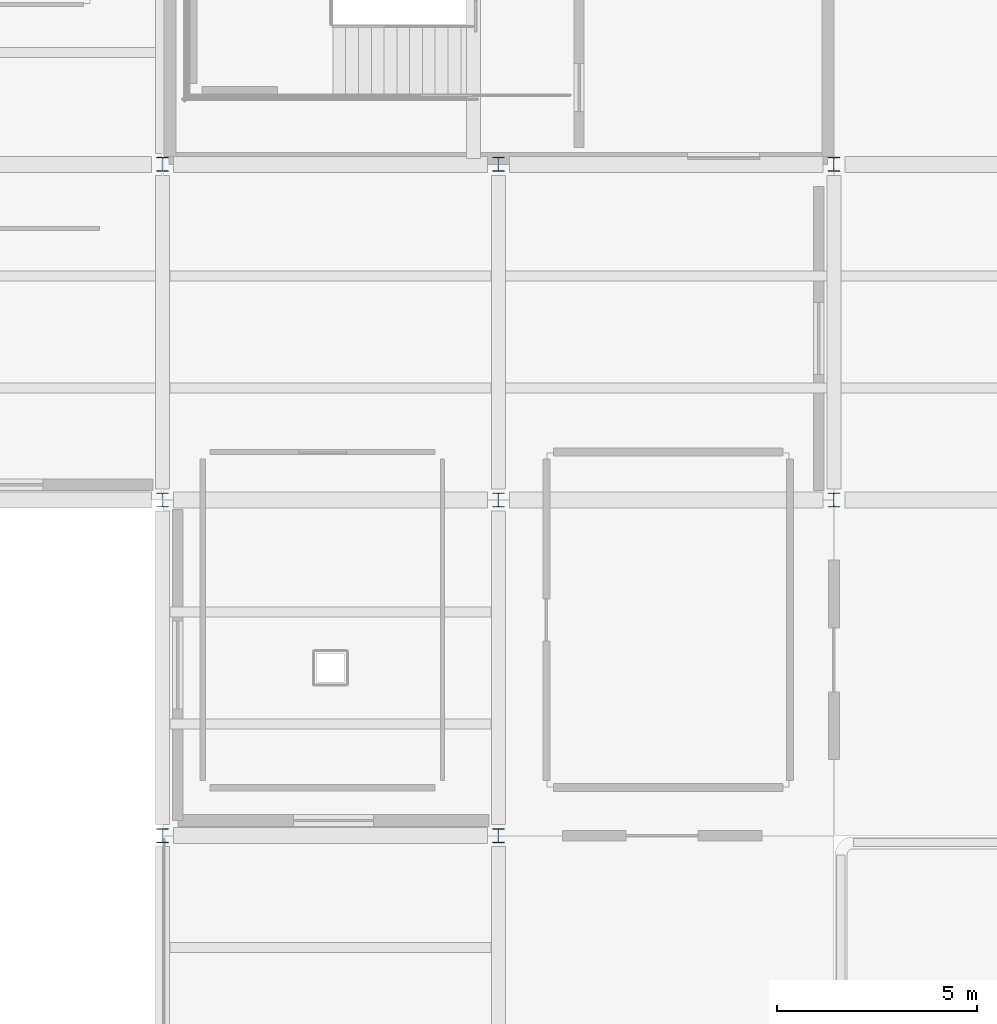
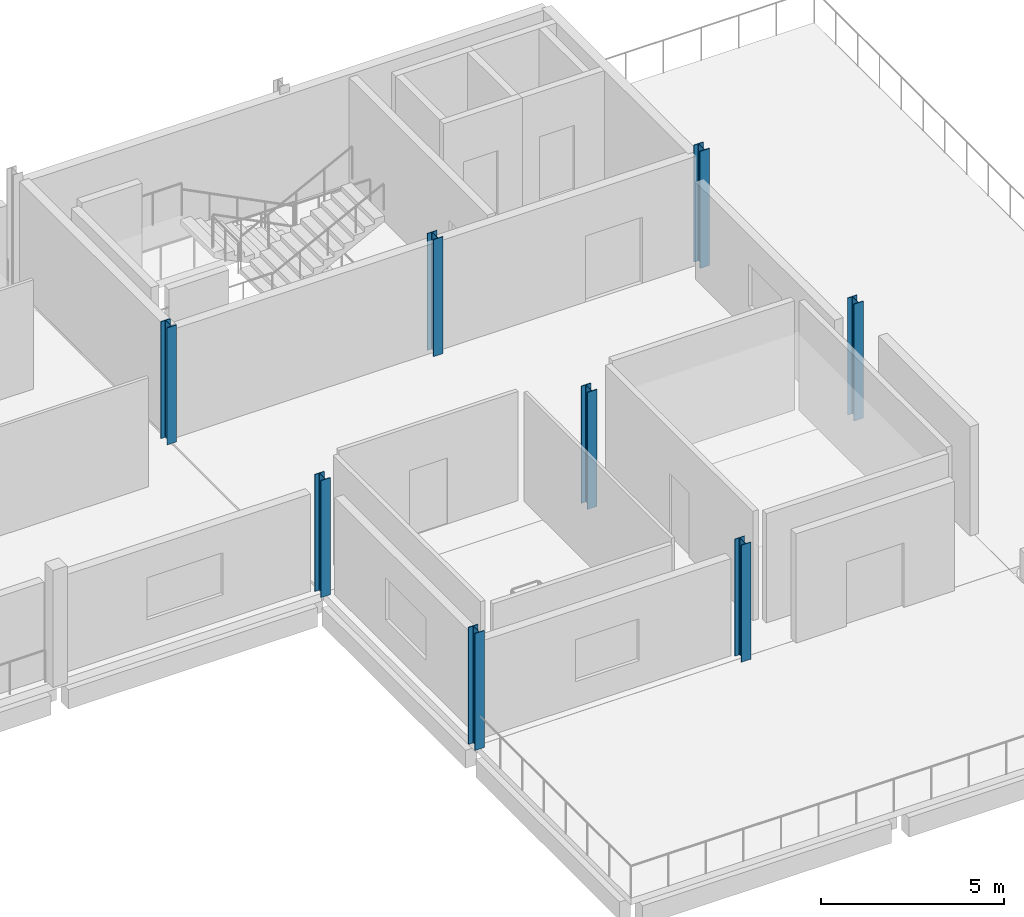
# One storey, part 2 of 16: 8 columns.
"""IFC4 building model written with IfcOpenShell, lengths in metres."""

from ifc_helpers import new_model, si_unit, derived_unit, direction, frame, origin, origin_2d, place, context, subcontext, project, spatial, i_section, extrude, material, material_profile, profile_set, type_object, element, save


model = new_model("IFC4")

# Units and contexts
model_context = context("Model", 3, precision=1e-05, world=origin(), true_north=direction((0.0, 1.0)))
body_context = subcontext(model_context, "Body", "Model", "MODEL_VIEW")
ifc_project = project(units=[si_unit("LENGTHUNIT", "METRE"), si_unit("AREAUNIT", "SQUARE_METRE"), si_unit("VOLUMEUNIT", "CUBIC_METRE"), si_unit("PLANEANGLEUNIT", "RADIAN"), si_unit("MASSUNIT", "GRAM", prefix="KILO"), derived_unit("THERMALTRANSMITTANCEUNIT", [(si_unit("POWERUNIT", "WATT"), 1), (si_unit("LENGTHUNIT", "METRE"), -2), (si_unit("THERMODYNAMICTEMPERATUREUNIT", "KELVIN"), -1)])], contexts=[model_context])

# Site, building, storey
site_placement = place(None, origin())
site = spatial("IfcSite", under=ifc_project, at=site_placement, CompositionType="ELEMENT")
building_placement = place(site_placement, origin())
building = spatial("IfcBuilding", under=site, at=building_placement, Name="Elbkamm Science Centre", CompositionType="ELEMENT")
storey_placement = place(building_placement, frame((0.0, 0.0, 21.60009765625)))
storey = spatial("IfcBuildingStorey", under=building, at=storey_placement, Name="L05", CompositionType="ELEMENT", Elevation=21.60009765625)

# Columns
ifc_material = material(Name="Steel EN 10025-2 S355J2", Category="steel")
ifc_material_profile = material_profile(ifc_material, i_section(OverallWidth=0.300048828125, OverallDepth=0.360107421875, WebThickness=0.012451171875, FlangeThickness=0.0224609375, FilletRadius=0.027099609375, at=origin_2d()), Name="HEB 360")
ifc_profile_set = profile_set([ifc_material_profile], Name="Steel EN 10025-2 S355J2")
column_type = type_object("IfcColumnType", Name="COL-STL-HEB360", PredefinedType="COLUMN", material=ifc_profile_set)
for number, where, z_axis, x_axis, name in (
    (1, (126.0, 33.60009765625, 0.0), (0.0, 0.0, 1.0), (1.0, 0.0, 0.0), "L05 Column GRID-16-E"),
    (2, (126.0, 42.0, 0.0), (0.0, 0.0, 1.0), (1.0, 0.0, 0.0), "L05 Column GRID-16-F"),
    (3, (126.0, 50.39990234375, 0.0), (0.0, 0.0, 1.0), (1.0, 0.0, 0.0), "L05 Column GRID-16-G"),
    (4, (134.39990234375, 33.60009765625, 0.0), (0.0, 0.0, 1.0), (1.0, 0.0, 0.0), "L05 Column GRID-17-E"),
    (5, (134.39990234375, 42.0, 0.0), (0.0, 0.0, 1.0), (1.0, 0.0, 0.0), "L05 Column GRID-17-F"),
    (6, (134.39990234375, 50.39990234375, 0.0), (0.0, 0.0, 1.0), (1.0, 0.0, 0.0), "L05 Column GRID-17-G"),
    (7, (142.800048828125, 42.0, 0.0), (0.0, 0.0, 1.0), (1.0, 0.0, 0.0), "L05 Column GRID-18-F"),
    (8, (142.800048828125, 50.39990234375, 0.0), (0.0, 0.0, 1.0), (1.0, 0.0, 0.0), "L05 Column GRID-18-G"),
):
    element("IfcColumn", number, at=place(storey_placement, frame(where, z_axis=z_axis, x_axis=x_axis)), inside=storey, type_object=column_type, Name=name, PredefinedType="COLUMN", context=body_context, shape_type="SweptSolid", body=[
        extrude(i_section(OverallWidth=0.300048828125, OverallDepth=0.360107421875, WebThickness=0.012451171875, FlangeThickness=0.0224609375, FilletRadius=0.027099609375, at=origin_2d()), origin(), (0.0, 0.0, 1.0), 3.89990234375),
    ])

save(model, "model.ifc")
